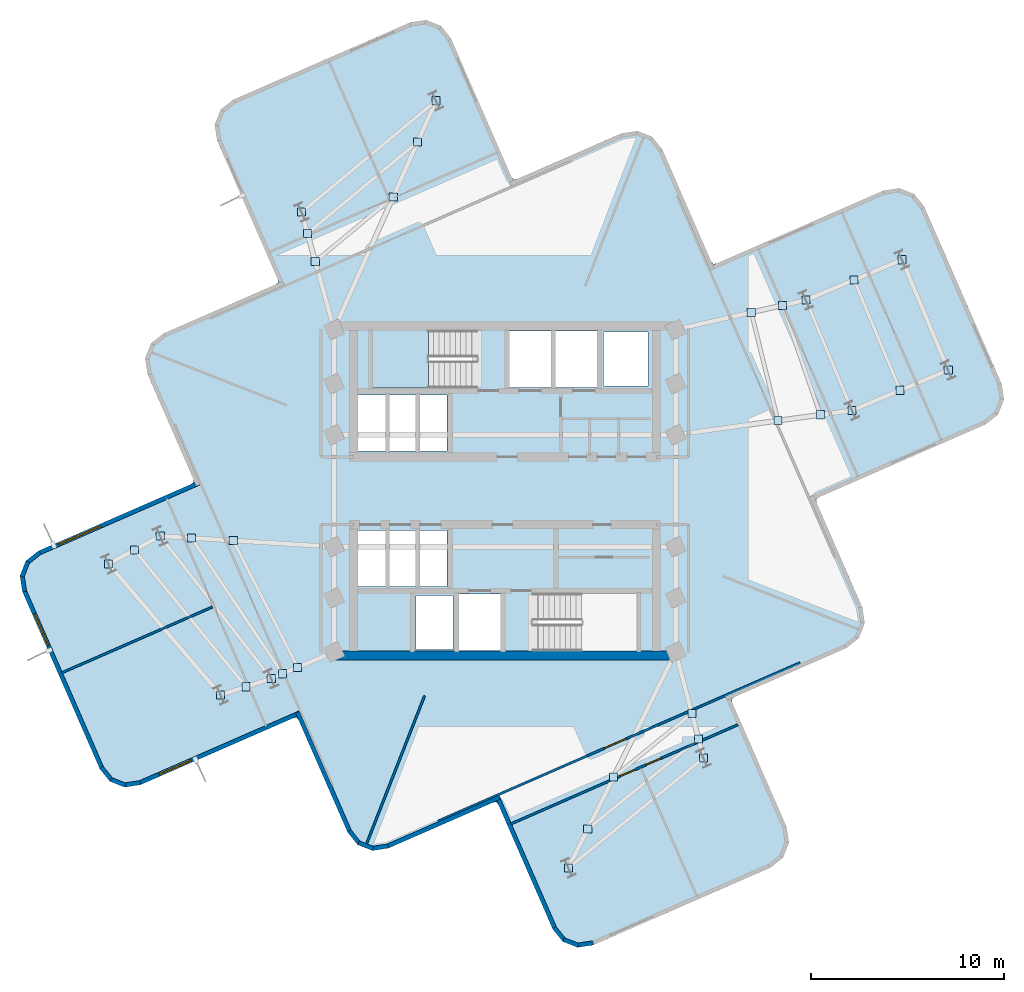
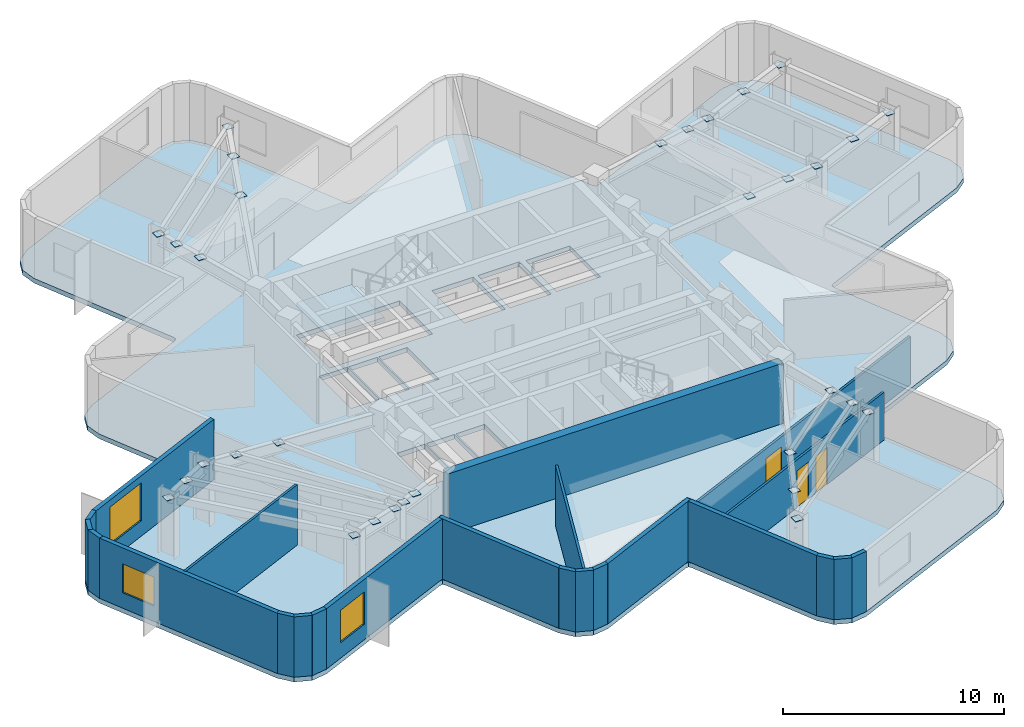
# One storey, part 2 of 8: 32 plates, 23 walls, 3 doors, 3 windows, 2 slabs, 6 openings, 1 element without a shape of its own.
"""IFC4 building model written with IfcOpenShell, lengths in metres."""

from ifc_helpers import new_model, si_unit, direction, frame, frame_2d, origin, origin_2d, place, context, subcontext, project, spatial, polyline, rectangle, outline, extrude, material, layer, layer_set, type_object, element, fill, aggregate, save


model = new_model("IFC4")

# Units and contexts
model_context = context("Model", 3, precision=1e-05, world=origin(), true_north=direction((0.0, 1.0)))
body_context = subcontext(model_context, "Body", "Model", "MODEL_VIEW")
ifc_project = project(units=[si_unit("LENGTHUNIT", "METRE"), si_unit("AREAUNIT", "SQUARE_METRE"), si_unit("VOLUMEUNIT", "CUBIC_METRE"), si_unit("PLANEANGLEUNIT", "RADIAN"), si_unit("MASSUNIT", "GRAM", prefix="KILO")], contexts=[model_context])

# Site, building, storey
site_placement = place(None, origin())
site = spatial("IfcSite", under=ifc_project, at=site_placement, CompositionType="ELEMENT")
building_placement = place(site_placement, origin())
building = spatial("IfcBuilding", under=site, at=building_placement, Name="Solmarez Civic Tower", CompositionType="ELEMENT")
storey_placement = place(building_placement, frame((0.0, 0.0, 181.080078125)))
storey = spatial("IfcBuildingStorey", under=building, at=storey_placement, Name="L48", CompositionType="ELEMENT", Elevation=181.080078125)

# Plates
ifc_material_1 = material(Name="Steel S355", Category="steel")
ifc_layer_1 = layer(ifc_material_1, 0.02392578125)
ifc_layer_set_1 = layer_set([ifc_layer_1], Name="Steel S355")
plate_type = type_object("IfcPlateType", Name="PLT-CAP-380", PredefinedType="USERDEFINED", material=ifc_layer_set_1)
for number, where, z_axis, x_axis, name in (
    (1, (17.987060546875, 4.1640625, 3.177978515625), (0.0, 0.0, 1.0), (1.0, 0.0, 0.0), "Steel Member End Cap Plate CAP-BM-L48-EA-T1-0"),
    (2, (15.593994140625, 9.883056640625, 3.177978515625), (0.0, 0.0, 1.0), (1.0, 0.0, 0.0), "Steel Member End Cap Plate CAP-BM-L48-EA-T1-1"),
    (3, (22.968017578125, 6.248046875, 3.1279296875), (0.0, 0.0, 1.0), (1.0, 0.0, 0.0), "Steel Member End Cap Plate CAP-BM-L48-EA-T2-0"),
    (4, (20.575927734375, 11.967041015625, 3.1279296875), (0.0, 0.0, 1.0), (1.0, 0.0, 0.0), "Steel Member End Cap Plate CAP-BM-L48-EA-T2-1"),
    (5, (20.47705078125, 5.2060546875, 3.177978515625), (0.0, 0.0, 1.0), (1.0, 0.0, 0.0), "Steel Member End Cap Plate CAP-JS-L48-EA-M2-0"),
    (6, (18.0849609375, 10.925048828125, 3.177978515625), (0.0, 0.0, 1.0), (1.0, 0.0, 0.0), "Steel Member End Cap Plate CAP-JS-L48-EA-M2-1"),
    (7, (14.14892578125, 3.633056640625, 3.177978515625), (0.0, 0.0, 1.0), (1.0, 0.0, 0.0), "Steel Member End Cap Plate CAP-JS-L48-EA-M11-0"),
    (8, (12.761962890625, 9.239013671875, 3.177978515625), (0.0, 0.0, 1.0), (1.0, 0.0, 0.0), "Steel Member End Cap Plate CAP-JS-L48-EA-M11-1"),
    (9, (16.342041015625, 3.93603515625, 3.177978515625), (0.0, 0.0, 1.0), (1.0, 0.0, 0.0), "Steel Member End Cap Plate CAP-JS-L48-EA-M12-0"),
    (10, (14.3798828125, 9.60693359375, 3.177978515625), (0.0, 0.0, 1.0), (1.0, 0.0, 0.0), "Steel Member End Cap Plate CAP-JS-L48-EA-M12-1"),
    (11, (-3.570068359375, 20.20703125, 3.177978515625), (0.0, 0.0, 1.0), (1.0, 0.0, 0.0), "Steel Member End Cap Plate CAP-BM-L48-NA-T1-0"),
    (12, (-10.532958984375, 14.43310546875, 3.177978515625), (0.0, 0.0, 1.0), (1.0, 0.0, 0.0), "Steel Member End Cap Plate CAP-BM-L48-NA-T1-1"),
    (13, (-5.7880859375, 15.22705078125, 3.177978515625), (0.0, 0.0, 1.0), (1.0, 0.0, 0.0), "Steel Member End Cap Plate CAP-JS-L48-NA-M11-0"),
    (14, (-9.825927734375, 11.8779296875, 3.177978515625), (0.0, 0.0, 1.0), (1.0, 0.0, 0.0), "Steel Member End Cap Plate CAP-JS-L48-NA-M11-1"),
    (15, (-4.52001953125, 18.072998046875, 3.177978515625), (0.0, 0.0, 1.0), (1.0, 0.0, 0.0), "Steel Member End Cap Plate CAP-JS-L48-NA-M12-0"),
    (16, (-10.22998046875, 13.337890625, 3.177978515625), (0.0, 0.0, 1.0), (1.0, 0.0, 0.0), "Steel Member End Cap Plate CAP-JS-L48-NA-M12-1"),
    (17, (-17.85791015625, -2.345947265625, 3.177978515625), (0.0, 0.0, 1.0), (1.0, 0.0, 0.0), "Steel Member End Cap Plate CAP-BM-L48-WA-T1-0"),
    (18, (-12.10595703125, -9.73095703125, 3.177978515625), (0.0, 0.0, 1.0), (1.0, 0.0, 0.0), "Steel Member End Cap Plate CAP-BM-L48-WA-T1-1"),
    (19, (-20.534912109375, -3.7880859375, 3.1279296875), (0.0, 0.0, 1.0), (1.0, 0.0, 0.0), "Steel Member End Cap Plate CAP-BM-L48-WA-T2-0"),
    (20, (-14.73095703125, -10.572998046875, 3.1279296875), (0.0, 0.0, 1.0), (1.0, 0.0, 0.0), "Steel Member End Cap Plate CAP-BM-L48-WA-T2-1"),
    (21, (-19.197021484375, -3.06689453125, 3.177978515625), (0.0, 0.0, 1.0), (1.0, 0.0, 0.0), "Steel Member End Cap Plate CAP-JS-L48-WA-M2-0"),
    (22, (-13.41796875, -10.152099609375, 3.177978515625), (0.0, 0.0, 1.0), (1.0, 0.0, 0.0), "Steel Member End Cap Plate CAP-JS-L48-WA-M2-1"),
    (23, (-14.074951171875, -2.5791015625, 3.177978515625), (0.0, 0.0, 1.0), (1.0, 0.0, 0.0), "Steel Member End Cap Plate CAP-JS-L48-WA-M11-0"),
    (24, (-10.738037109375, -9.15087890625, 3.177978515625), (0.0, 0.0, 1.0), (1.0, 0.0, 0.0), "Steel Member End Cap Plate CAP-JS-L48-WA-M11-1"),
    (25, (-16.237060546875, -2.446044921875, 3.177978515625), (0.0, 0.0, 1.0), (1.0, 0.0, 0.0), "Steel Member End Cap Plate CAP-JS-L48-WA-M12-0"),
    (26, (-11.52001953125, -9.48193359375, 3.177978515625), (0.0, 0.0, 1.0), (1.0, 0.0, 0.0), "Steel Member End Cap Plate CAP-JS-L48-WA-M12-1"),
    (27, (3.2900390625, -19.535888671875, 3.177978515625), (0.0, 0.0, 1.0), (1.0, 0.0, 0.0), "Steel Member End Cap Plate CAP-BM-L48-SA-T1-0"),
    (28, (10.2900390625, -13.85009765625, 3.177978515625), (0.0, 0.0, 1.0), (1.0, 0.0, 0.0), "Steel Member End Cap Plate CAP-BM-L48-SA-T1-1"),
    (29, (5.625, -14.837890625, 3.177978515625), (0.0, 0.0, 1.0), (1.0, 0.0, 0.0), "Steel Member End Cap Plate CAP-JS-L48-SA-M11-0"),
    (30, (9.68505859375, -11.5400390625, 3.177978515625), (0.0, 0.0, 1.0), (1.0, 0.0, 0.0), "Steel Member End Cap Plate CAP-JS-L48-SA-M11-1"),
    (31, (4.291015625, -17.52294921875, 3.177978515625), (0.0, 0.0, 1.0), (1.0, 0.0, 0.0), "Steel Member End Cap Plate CAP-JS-L48-SA-M12-0"),
    (32, (10.031005859375, -12.860107421875, 3.177978515625), (0.0, 0.0, 1.0), (1.0, 0.0, 0.0), "Steel Member End Cap Plate CAP-JS-L48-SA-M12-1"),
):
    element("IfcPlate", number, at=place(storey_placement, frame(where, z_axis=z_axis, x_axis=x_axis)), inside=storey, type_object=plate_type, Name=name, ObjectType="CAP_PLATE", PredefinedType="USERDEFINED", context=body_context, shape_type="SweptSolid", body=[
        extrude(rectangle(XDim=0.419921875, YDim=0.419921875, at=origin_2d()), origin(), (0.0, 0.0, 1.0), 0.02392578125),
    ])

# Stair, slab
ifc_material_2 = material(Name="Concrete C50/60", Category="concrete")
stair_type = type_object("IfcStairType", Name="STAIR-DOGLEG-140W-20R-1800", PredefinedType="HALF_TURN_STAIR", material=ifc_material_2)
stair_placement = place(storey_placement, origin())
stair = element("IfcStair", 33, at=stair_placement, inside=storey, type_object=stair_type, Name="L48 North Core Protected Exit Stair ST-1", PredefinedType="HALF_TURN_STAIR")
ifc_layer_2 = layer(ifc_material_2, 0.199951171875)
ifc_layer_set_2 = layer_set([ifc_layer_2], Name="Concrete C50/60")
slab_type_1 = type_object("IfcSlabType", Name="SLAB-LANDING-200", PredefinedType="LANDING", material=ifc_layer_set_2)
slab_1_placement = place(storey_placement, frame((0.0, 0.0, 1.599853515625)))
slab_1 = element("IfcSlab", 34, at=slab_1_placement, type_object=slab_type_1, Name="ST-1 landing 1", PredefinedType="LANDING", context=body_context, shape_type="SweptSolid", body=[
    extrude(outline(polyline([(-3.969970703125, 8.320068359375), (-6.85009765625, 8.320068359375), (-6.85009765625, 5.320068359375), (-3.969970703125, 5.320068359375), (-3.969970703125, 8.320068359375)])), origin(), (0.0, 0.0, 1.0), 0.199951171875),
])
aggregate(stair, [slab_1])

# Slab
ifc_layer_3 = layer(ifc_material_2, 0.260009765625)
ifc_layer_set_3 = layer_set([ifc_layer_3], Name="Concrete C50/60")
slab_type_2 = type_object("IfcSlabType", Name="SLAB-TOWER-260", PredefinedType="FLOOR", material=ifc_layer_set_3)
slab_2_placement = place(storey_placement, frame((0.0, 0.0, -0.260009765625)))
element("IfcSlab", 35, at=slab_2_placement, inside=storey, type_object=slab_type_2, Name="L48 Structural Slab", PredefinedType="FLOOR", context=body_context, shape_type="SweptSolid", body=[
    extrude(outline(polyline([(-10.68701171875, -11.883056640625), (-8.14892578125, -17.69189453125), (-7.632080078125, -18.339111328125), (-6.861083984375, -18.64111328125), (-6.0419921875, -18.51806640625), (-0.617919921875, -16.14794921875), (-0.447021484375, -16.1220703125), (-0.340087890625, -16.256103515625), (2.47802734375, -22.70703125), (2.9951171875, -23.35400390625), (3.76611328125, -23.656982421875), (4.5849609375, -23.532958984375), (13.76708984375, -19.52099609375), (14.4140625, -19.0048828125), (14.716064453125, -18.23291015625), (14.592041015625, -17.4140625), (11.77392578125, -10.964111328125), (11.748046875, -10.7939453125), (11.883056640625, -10.68701171875), (17.69189453125, -8.14892578125), (18.339111328125, -7.632080078125), (18.64111328125, -6.861083984375), (18.51806640625, -6.0419921875), (16.14794921875, -0.617919921875), (16.1220703125, -0.447021484375), (16.256103515625, -0.340087890625), (24.906005859375, 3.43896484375), (25.553955078125, 3.9560546875), (25.85595703125, 4.72705078125), (25.73193359375, 5.5458984375), (21.719970703125, 14.72802734375), (21.2041015625, 15.375), (20.43310546875, 15.677001953125), (19.614013671875, 15.552978515625), (10.964111328125, 11.77392578125), (10.7939453125, 11.748046875), (10.68701171875, 11.883056640625), (8.14892578125, 17.69189453125), (7.632080078125, 18.339111328125), (6.861083984375, 18.64111328125), (6.0419921875, 18.51806640625), (0.617919921875, 16.14794921875), (0.447021484375, 16.1220703125), (0.340087890625, 16.256103515625), (-2.798095703125, 23.43994140625), (-3.31494140625, 24.0869140625), (-4.0859375, 24.389892578125), (-4.905029296875, 24.26611328125), (-14.0869140625, 20.25390625), (-14.73388671875, 19.738037109375), (-15.035888671875, 18.966064453125), (-14.9130859375, 18.14794921875), (-11.77392578125, 10.964111328125), (-11.748046875, 10.7939453125), (-11.883056640625, 10.68701171875), (-17.69189453125, 8.14892578125), (-18.339111328125, 7.632080078125), (-18.64111328125, 6.861083984375), (-18.51806640625, 6.0419921875), (-16.14794921875, 0.617919921875), (-16.1220703125, 0.447021484375), (-16.256103515625, 0.340087890625), (-24.173095703125, -3.118896484375), (-24.821044921875, -3.635009765625), (-25.123046875, -4.406005859375), (-24.9990234375, -5.22509765625), (-20.987060546875, -14.406982421875), (-20.470947265625, -15.054931640625), (-19.699951171875, -15.35693359375), (-18.881103515625, -15.23291015625), (-10.964111328125, -11.77392578125), (-10.7939453125, -11.748046875), (-10.68701171875, -11.883056640625)]), holes=[polyline([(-1.449951171875, 8.320068359375), (-6.85009765625, 8.320068359375), (-6.85009765625, 5.320068359375), (-1.449951171875, 5.320068359375), (-1.449951171875, 8.320068359375)]), polyline([(1.449951171875, -8.320068359375), (6.85009765625, -8.320068359375), (6.85009765625, -5.320068359375), (1.449951171875, -5.320068359375), (1.449951171875, -8.320068359375)]), polyline([(0.219970703125, 5.360107421875), (2.3798828125, 5.360107421875), (2.3798828125, 8.280029296875), (0.219970703125, 8.280029296875), (0.219970703125, 5.360107421875)]), polyline([(2.6201171875, 5.360107421875), (4.780029296875, 5.360107421875), (4.780029296875, 8.280029296875), (2.6201171875, 8.280029296875), (2.6201171875, 5.360107421875)]), polyline([(-2.3798828125, -8.280029296875), (-0.219970703125, -8.280029296875), (-0.219970703125, -5.360107421875), (-2.3798828125, -5.360107421875), (-2.3798828125, -8.280029296875)]), polyline([(-7.60009765625, -4.9599609375), (-6.1201171875, -4.9599609375), (-6.1201171875, -2.06005859375), (-7.60009765625, -2.06005859375), (-7.60009765625, -4.9599609375)]), polyline([(-6.0400390625, -4.9599609375), (-4.56005859375, -4.9599609375), (-4.56005859375, -2.06005859375), (-6.0400390625, -2.06005859375), (-6.0400390625, -4.9599609375)]), polyline([(-4.47998046875, -4.9599609375), (-3.0, -4.9599609375), (-3.0, -2.06005859375), (-4.47998046875, -2.06005859375), (-4.47998046875, -4.9599609375)]), polyline([(-7.60009765625, 2.06005859375), (-6.1201171875, 2.06005859375), (-6.1201171875, 4.9599609375), (-7.60009765625, 4.9599609375), (-7.60009765625, 2.06005859375)]), polyline([(-6.0400390625, 2.06005859375), (-4.56005859375, 2.06005859375), (-4.56005859375, 4.9599609375), (-6.0400390625, 4.9599609375), (-6.0400390625, 2.06005859375)]), polyline([(-4.47998046875, 2.06005859375), (-3.0, 2.06005859375), (-3.0, 4.9599609375), (-4.47998046875, 4.9599609375), (-4.47998046875, 2.06005859375)]), polyline([(5.10009765625, 5.419921875), (7.39990234375, 5.419921875), (7.39990234375, 8.219970703125), (5.10009765625, 8.219970703125), (5.10009765625, 5.419921875)]), polyline([(-4.60009765625, -8.219970703125), (-2.699951171875, -8.219970703125), (-2.699951171875, -5.419921875), (-4.60009765625, -5.419921875), (-4.60009765625, -8.219970703125)])]), origin(), (0.0, 0.0, 1.0), 0.260009765625),
])

# Wall
ifc_layer_4 = layer(ifc_material_2, 0.449951171875)
ifc_layer_set_4 = layer_set([ifc_layer_4], Name="Concrete C50/60")
wall_type_1 = type_object("IfcWallType", Name="WALL-CORE-450", PredefinedType="SHEAR", material=ifc_layer_set_4)
wall_1_placement = place(storey_placement, frame((8.780029296875, -8.534912109375, 0.0), z_axis=(0.0, 0.0, 1.0), x_axis=(-1.0, 0.0, 0.0)))
element("IfcWall", 36, at=wall_1_placement, inside=storey, type_object=wall_type_1, Name="L48 Split-Core Structural Wall SCW-S-L48", PredefinedType="SHEAR", context=body_context, shape_type="SweptSolid", body=[
    extrude(rectangle(XDim=17.56005859375, YDim=0.449951171875, at=frame_2d((8.780029296875, 0.0))), origin(), (0.0, 0.0, 1.0), 3.33984375),
])

# Wall, opening, window
ifc_material_3 = material(Name="Precast concrete C40/50", Category="concrete")
ifc_layer_5 = layer(ifc_material_3, 0.219970703125)
ifc_layer_set_5 = layer_set([ifc_layer_5], Name="Precast concrete C40/50")
wall_type_2 = type_object("IfcWallType", Name="WALL-EXT-220", PredefinedType="SOLIDWALL", material=ifc_layer_set_5)
wall_2_placement = place(storey_placement, frame((-10.634033203125, -11.510009765625, 0.0), z_axis=(0.0, 0.0, 1.0), x_axis=(-0.91637186732, -0.400328116405, 0.0)))
wall_2 = element("IfcWall", 37, at=wall_2_placement, inside=storey, type_object=wall_type_2, Name="L48 Exterior Precast Wall 2", PredefinedType="SOLIDWALL", context=body_context, shape_type="SweptSolid", body=[
    extrude(rectangle(XDim=9.0576171875, YDim=0.219970703125, at=frame_2d((4.52880859375, 0.0))), origin(), (0.0, 0.0, 1.0), 3.33984375),
])
opening_1_placement = place(wall_2_placement, frame((6.156982421875, 0.0, 0.85009765625)))
opening_1 = element("IfcOpeningElement", 38, at=opening_1_placement, cuts=wall_2, Name="Opening W-08", PredefinedType="OPENING", context=body_context, shape_type="SweptSolid", body=[
    extrude(rectangle(XDim=1.800048828125, YDim=1.800048828125, at=frame_2d((0.89990234375, 0.89990234375))), frame((0.0, 0.119873046875, 0.0), z_axis=(0.0, -1.0, 0.0), x_axis=(1.0, 0.0, 0.0)), (0.0, 0.0, 1.0), 0.239990234375),
])
ifc_material_4 = material(Name="Solar Control Bronze-Tinted Insulating Glass", Category="glass")
window_type_1 = type_object("IfcWindowType", Name="WIN-1800X1800", PartitioningType="SINGLE_PANEL", PredefinedType="WINDOW", material=ifc_material_4)
window_1_placement = place(opening_1_placement, origin())
window_1 = element("IfcWindow", 39, at=window_1_placement, inside=storey, type_object=window_type_1, Name="L48 Exterior Facade Window 2", OverallHeight=1.800048828125, OverallWidth=1.800048828125, PartitioningType="SINGLE_PANEL", PredefinedType="WINDOW", context=body_context, shape_type="SweptSolid", body=[
    extrude(rectangle(XDim=1.800048828125, YDim=1.800048828125, at=frame_2d((0.89990234375, 0.89990234375))), frame((0.0, 0.030029296875, 0.0), z_axis=(0.0, -1.0, 0.0), x_axis=(1.0, 0.0, 0.0)), (0.0, 0.0, 1.0), 0.06005859375),
])
fill(opening_1, window_1)

# Walls
wall_3_placement = place(storey_placement, frame((-18.885986328125, -15.1220703125, 0.0), z_axis=(0.0, 0.0, 1.0), x_axis=(-0.988566813851, -0.150783469095, 0.0)))
element("IfcWall", 40, at=wall_3_placement, inside=storey, type_object=wall_type_2, Name="L48 Exterior Precast Wall 3", PredefinedType="SOLIDWALL", context=body_context, shape_type="SweptSolid", body=[
    extrude(rectangle(XDim=0.83544921875, YDim=0.219970703125, at=frame_2d((0.417724609375, 0.0))), origin(), (0.0, 0.0, 1.0), 3.33984375),
])
wall_4_placement = place(storey_placement, frame((-19.6640625, -15.2529296875, 0.0), z_axis=(0.0, 0.0, 1.0), x_axis=(-0.930965246498, 0.36510780574, 0.0)))
element("IfcWall", 41, at=wall_4_placement, inside=storey, type_object=wall_type_2, Name="L48 Exterior Precast Wall 4", PredefinedType="SOLIDWALL", context=body_context, shape_type="SweptSolid", body=[
    extrude(rectangle(XDim=0.818359375, YDim=0.219970703125, at=frame_2d((0.4091796875, 0.0))), origin(), (0.0, 0.0, 1.0), 3.33984375),
])
wall_5_placement = place(storey_placement, frame((-20.386962890625, -14.98291015625, 0.0), z_axis=(0.0, 0.0, 1.0), x_axis=(-0.62376780326, 0.781609702867, 0.0)))
element("IfcWall", 42, at=wall_5_placement, inside=storey, type_object=wall_type_2, Name="L48 Exterior Precast Wall 5", PredefinedType="SOLIDWALL", context=body_context, shape_type="SweptSolid", body=[
    extrude(rectangle(XDim=0.835205078125, YDim=0.219970703125, at=frame_2d((0.41748046875, 0.0))), origin(), (0.0, 0.0, 1.0), 3.33984375),
])

# Wall, opening, window
wall_6_placement = place(storey_placement, frame((-20.882080078125, -14.373046875, 0.0), z_axis=(0.0, 0.0, 1.0), x_axis=(-0.400368522196, 0.916354214502, 0.0)))
wall_6 = element("IfcWall", 43, at=wall_6_placement, inside=storey, type_object=wall_type_2, Name="L48 Exterior Precast Wall 6", PredefinedType="SOLIDWALL", context=body_context, shape_type="SweptSolid", body=[
    extrude(rectangle(XDim=10.040771484375, YDim=0.219970703125, at=frame_2d((5.0205078125, 0.0))), origin(), (0.0, 0.0, 1.0), 3.33984375),
])
opening_2_placement = place(wall_6_placement, frame((6.931884765625, 0.0, 0.85009765625)))
opening_2 = element("IfcOpeningElement", 44, at=opening_2_placement, cuts=wall_6, Name="Opening W-12", PredefinedType="OPENING", context=body_context, shape_type="SweptSolid", body=[
    extrude(rectangle(XDim=1.800048828125, YDim=1.60009765625, at=frame_2d((0.89990234375, 0.800048828125))), frame((0.0, 0.119873046875, 0.0), z_axis=(0.0, -1.0, 0.0), x_axis=(1.0, 0.0, 0.0)), (0.0, 0.0, 1.0), 0.239990234375),
])
window_type_2 = type_object("IfcWindowType", Name="WIN-1800X1600", PartitioningType="SINGLE_PANEL", PredefinedType="WINDOW", material=ifc_material_4)
window_2_placement = place(opening_2_placement, origin())
window_2 = element("IfcWindow", 45, at=window_2_placement, inside=storey, type_object=window_type_2, Name="L48 Exterior Facade Window 6", OverallHeight=1.60009765625, OverallWidth=1.800048828125, PartitioningType="SINGLE_PANEL", PredefinedType="WINDOW", context=body_context, shape_type="SweptSolid", body=[
    extrude(rectangle(XDim=1.800048828125, YDim=1.60009765625, at=frame_2d((0.89990234375, 0.800048828125))), frame((0.0, 0.030029296875, 0.0), z_axis=(0.0, -1.0, 0.0), x_axis=(1.0, 0.0, 0.0)), (0.0, 0.0, 1.0), 0.06005859375),
])
fill(opening_2, window_2)

# Walls
wall_7_placement = place(storey_placement, frame((-24.887939453125, -5.219970703125, 0.0), z_axis=(0.0, 0.0, 1.0), x_axis=(-0.150783469095, 0.988566813851, 0.0)))
element("IfcWall", 46, at=wall_7_placement, inside=storey, type_object=wall_type_2, Name="L48 Exterior Precast Wall 7", PredefinedType="SOLIDWALL", context=body_context, shape_type="SweptSolid", body=[
    extrude(rectangle(XDim=0.83544921875, YDim=0.219970703125, at=frame_2d((0.417724609375, 0.0))), origin(), (0.0, 0.0, 1.0), 3.33984375),
])
wall_8_placement = place(storey_placement, frame((-25.01904296875, -4.44189453125, 0.0), z_axis=(0.0, 0.0, 1.0), x_axis=(0.365366290938, 0.93086383185, 0.0)))
element("IfcWall", 47, at=wall_8_placement, inside=storey, type_object=wall_type_2, Name="L48 Exterior Precast Wall 8", PredefinedType="SOLIDWALL", context=body_context, shape_type="SweptSolid", body=[
    extrude(rectangle(XDim=0.818603515625, YDim=0.219970703125, at=frame_2d((0.4091796875, 0.0))), origin(), (0.0, 0.0, 1.0), 3.33984375),
])
wall_9_placement = place(storey_placement, frame((-24.7490234375, -3.718994140625, 0.0), z_axis=(0.0, 0.0, 1.0), x_axis=(0.781723393747, 0.623625316731, 0.0)))
element("IfcWall", 48, at=wall_9_placement, inside=storey, type_object=wall_type_2, Name="L48 Exterior Precast Wall 9", PredefinedType="SOLIDWALL", context=body_context, shape_type="SweptSolid", body=[
    extrude(rectangle(XDim=0.83544921875, YDim=0.219970703125, at=frame_2d((0.417724609375, 0.0))), origin(), (0.0, 0.0, 1.0), 3.33984375),
])

# Wall, opening, window
wall_10_placement = place(storey_placement, frame((-24.138916015625, -3.22412109375, 0.0), z_axis=(0.0, 0.0, 1.0), x_axis=(0.916356987606, 0.400362175117, 0.0)))
wall_10 = element("IfcWall", 49, at=wall_10_placement, inside=storey, type_object=wall_type_2, Name="L48 Exterior Precast Wall 10", PredefinedType="SOLIDWALL", context=body_context, shape_type="SweptSolid", body=[
    extrude(rectangle(XDim=9.059814453125, YDim=0.219970703125, at=frame_2d((4.52978515625, 0.0))), origin(), (0.0, 0.0, 1.0), 3.33984375),
])
opening_3_placement = place(wall_10_placement, frame((1.10009765625, 0.0, 0.85009765625)))
opening_3 = element("IfcOpeningElement", 50, at=opening_3_placement, cuts=wall_10, Name="Opening W-02", PredefinedType="OPENING", context=body_context, shape_type="SweptSolid", body=[
    extrude(rectangle(XDim=2.39990234375, YDim=2.10009765625, at=frame_2d((1.199951171875, 1.050048828125))), frame((0.0, 0.119873046875, 0.0), z_axis=(0.0, -1.0, 0.0), x_axis=(1.0, 0.0, 0.0)), (0.0, 0.0, 1.0), 0.239990234375),
])
window_type_3 = type_object("IfcWindowType", Name="WIN-2400X2100", PartitioningType="SINGLE_PANEL", PredefinedType="WINDOW", material=ifc_material_4)
window_3_placement = place(opening_3_placement, origin())
window_3 = element("IfcWindow", 51, at=window_3_placement, inside=storey, type_object=window_type_3, Name="L48 Exterior Facade Window 10", OverallHeight=2.10009765625, OverallWidth=2.39990234375, PartitioningType="SINGLE_PANEL", PredefinedType="WINDOW", context=body_context, shape_type="SweptSolid", body=[
    extrude(rectangle(XDim=2.39990234375, YDim=2.10009765625, at=frame_2d((1.199951171875, 1.050048828125))), frame((0.0, 0.030029296875, 0.0), z_axis=(0.0, -1.0, 0.0), x_axis=(1.0, 0.0, 0.0)), (0.0, 0.0, 1.0), 0.06005859375),
])
fill(opening_3, window_3)

# Walls
wall_11_placement = place(storey_placement, frame((4.5791015625, -23.422119140625, 0.0), z_axis=(0.0, 0.0, 1.0), x_axis=(-0.98872075534, -0.149770717969, 0.0)))
element("IfcWall", 52, at=wall_11_placement, inside=storey, type_object=wall_type_2, Name="L48 Exterior Precast Wall 61", PredefinedType="SOLIDWALL", context=body_context, shape_type="SweptSolid", body=[
    extrude(rectangle(XDim=0.834716796875, YDim=0.219970703125, at=frame_2d((0.41748046875, 0.0))), origin(), (0.0, 0.0, 1.0), 3.33984375),
])
wall_12_placement = place(storey_placement, frame((3.802001953125, -23.552001953125, 0.0), z_axis=(0.0, 0.0, 1.0), x_axis=(-0.931427357551, 0.363927297142, 0.0)))
element("IfcWall", 53, at=wall_12_placement, inside=storey, type_object=wall_type_2, Name="L48 Exterior Precast Wall 62", PredefinedType="SOLIDWALL", context=body_context, shape_type="SweptSolid", body=[
    extrude(rectangle(XDim=0.819091796875, YDim=0.219970703125, at=frame_2d((0.40966796875, 0.0))), origin(), (0.0, 0.0, 1.0), 3.33984375),
])
wall_13_placement = place(storey_placement, frame((3.077880859375, -23.282958984375, 0.0), z_axis=(0.0, 0.0, 1.0), x_axis=(-0.623625316731, 0.781723393747, 0.0)))
element("IfcWall", 54, at=wall_13_placement, inside=storey, type_object=wall_type_2, Name="L48 Exterior Precast Wall 63", PredefinedType="SOLIDWALL", context=body_context, shape_type="SweptSolid", body=[
    extrude(rectangle(XDim=0.83544921875, YDim=0.219970703125, at=frame_2d((0.417724609375, 0.0))), origin(), (0.0, 0.0, 1.0), 3.33984375),
])
wall_14_placement = place(storey_placement, frame((2.5830078125, -22.673095703125, 0.0), z_axis=(0.0, 0.0, 1.0), x_axis=(-0.400284831799, 0.916390775505, 0.0)))
element("IfcWall", 55, at=wall_14_placement, inside=storey, type_object=wall_type_2, Name="L48 Exterior Precast Wall 64", PredefinedType="SOLIDWALL", context=body_context, shape_type="SweptSolid", body=[
    extrude(rectangle(XDim=7.4599609375, YDim=0.219970703125, at=frame_2d((3.72998046875, 0.0))), origin(), (0.0, 0.0, 1.0), 3.33984375),
])
wall_15_placement = place(storey_placement, frame((-0.287109375, -15.883056640625, 0.0), z_axis=(0.0, 0.0, 1.0), x_axis=(-0.916361402872, -0.400352069216, 0.0)))
element("IfcWall", 56, at=wall_15_placement, inside=storey, type_object=wall_type_2, Name="L48 Exterior Precast Wall 67", PredefinedType="SOLIDWALL", context=body_context, shape_type="SweptSolid", body=[
    extrude(rectangle(XDim=6.339111328125, YDim=0.219970703125, at=frame_2d((3.16943359375, 0.0))), origin(), (0.0, 0.0, 1.0), 3.33984375),
])
wall_16_placement = place(storey_placement, frame((-6.048095703125, -18.406982421875, 0.0), z_axis=(0.0, 0.0, 1.0), x_axis=(-0.988714190876, -0.149814047271, 0.0)))
element("IfcWall", 57, at=wall_16_placement, inside=storey, type_object=wall_type_2, Name="L48 Exterior Precast Wall 68", PredefinedType="SOLIDWALL", context=body_context, shape_type="SweptSolid", body=[
    extrude(rectangle(XDim=0.83447265625, YDim=0.219970703125, at=frame_2d((0.417236328125, 0.0))), origin(), (0.0, 0.0, 1.0), 3.33984375),
])
wall_17_placement = place(storey_placement, frame((-6.824951171875, -18.537109375, 0.0), z_axis=(0.0, 0.0, 1.0), x_axis=(-0.931269191941, 0.364331843435, 0.0)))
element("IfcWall", 58, at=wall_17_placement, inside=storey, type_object=wall_type_2, Name="L48 Exterior Precast Wall 69", PredefinedType="SOLIDWALL", context=body_context, shape_type="SweptSolid", body=[
    extrude(rectangle(XDim=0.818115234375, YDim=0.219970703125, at=frame_2d((0.4091796875, 0.0))), origin(), (0.0, 0.0, 1.0), 3.33984375),
])
wall_18_placement = place(storey_placement, frame((-7.548095703125, -18.26806640625, 0.0), z_axis=(0.0, 0.0, 1.0), x_axis=(-0.624338860581, 0.781153625844, 0.0)))
element("IfcWall", 59, at=wall_18_placement, inside=storey, type_object=wall_type_2, Name="L48 Exterior Precast Wall 70", PredefinedType="SOLIDWALL", context=body_context, shape_type="SweptSolid", body=[
    extrude(rectangle(XDim=0.8359375, YDim=0.219970703125, at=frame_2d((0.41796875, 0.0))), origin(), (0.0, 0.0, 1.0), 3.33984375),
])
wall_19_placement = place(storey_placement, frame((-8.0439453125, -17.657958984375, 0.0), z_axis=(0.0, 0.0, 1.0), x_axis=(-0.400352658158, 0.916361145567, 0.0)))
element("IfcWall", 60, at=wall_19_placement, inside=storey, type_object=wall_type_2, Name="L48 Exterior Precast Wall 71", PredefinedType="SOLIDWALL", context=body_context, shape_type="SweptSolid", body=[
    extrude(rectangle(XDim=6.75927734375, YDim=0.219970703125, at=frame_2d((3.379638671875, 0.0))), origin(), (0.0, 0.0, 1.0), 3.33984375),
])
ifc_material_5 = material(Name="Gypsum Board Acoustic Steel-Stud Partition", Category="steel")
ifc_layer_6 = layer(ifc_material_5, 0.1201171875)
ifc_layer_set_6 = layer_set([ifc_layer_6], Name="Gypsum Board Acoustic Steel-Stud Partition")
wall_type_3 = type_object("IfcWallType", Name="WALL-INT-PART-120", PredefinedType="PARTITIONING", material=ifc_layer_set_6)
wall_20_placement = place(storey_placement, frame((-4.159912109375, -10.614013671875, 0.0), z_axis=(0.0, 0.0, 1.0), x_axis=(-0.364859873544, -0.931062442953, 0.0)))
element("IfcWall", 61, at=wall_20_placement, inside=storey, type_object=wall_type_3, Name="L48 Interior Partition PT-L48-QDIV-3", PredefinedType="PARTITIONING", context=body_context, shape_type="SweptSolid", body=[
    extrude(rectangle(XDim=8.2744140625, YDim=0.1201171875, at=frame_2d((4.13720703125, 0.0))), origin(), (0.0, 0.0, 1.0), 3.33984375),
])
wall_21_placement = place(storey_placement, frame((-15.138916015625, -6.013916015625, 0.0), z_axis=(0.0, 0.0, 1.0), x_axis=(-0.916360078354, -0.400355100878, 0.0)))
element("IfcWall", 62, at=wall_21_placement, inside=storey, type_object=wall_type_3, Name="L48 Interior Partition PT-L48-W-TSP", PredefinedType="PARTITIONING", context=body_context, shape_type="SweptSolid", body=[
    extrude(rectangle(XDim=8.534912109375, YDim=0.1201171875, at=frame_2d((4.267578125, 0.0))), origin(), (0.0, 0.0, 1.0), 3.33984375),
])

# Wall, opening, door
wall_22_placement = place(storey_placement, frame((15.2880859375, -8.9150390625, 0.0), z_axis=(0.0, 0.0, 1.0), x_axis=(-0.916368627962, -0.400335531383, 0.0)))
wall_22 = element("IfcWall", 63, at=wall_22_placement, inside=storey, type_object=wall_type_3, Name="L48 Interior Partition PT-L48-S-ENT", PredefinedType="PARTITIONING", context=body_context, shape_type="SweptSolid", body=[
    extrude(rectangle(XDim=20.460205078125, YDim=0.1201171875, at=frame_2d((10.22998046875, 0.0))), origin(), (0.0, 0.0, 1.0), 2.64404296875),
])
opening_4_placement = place(wall_22_placement, frame((9.840087890625, 0.0, 0.0)))
opening_4 = element("IfcOpeningElement", 64, at=opening_4_placement, cuts=wall_22, Name="Opening D-11", PredefinedType="OPENING", context=body_context, shape_type="SweptSolid", body=[
    extrude(rectangle(XDim=1.199951171875, YDim=2.10009765625, at=frame_2d((0.60009765625, 1.050048828125))), frame((0.0, 0.070068359375, 0.0), z_axis=(0.0, -1.0, 0.0), x_axis=(1.0, 0.0, 0.0)), (0.0, 0.0, 1.0), 0.14013671875),
])
ifc_material_6 = material(Name="Glazed-Vision Acoustic Chamber Door", Category="wood")
door_type_1 = type_object("IfcDoorType", Name="DOOR-INT-1200", OperationType="NOTDEFINED", PredefinedType="DOOR", material=ifc_material_6)
door_1_placement = place(opening_4_placement, origin())
door_1 = element("IfcDoor", 65, at=door_1_placement, inside=storey, type_object=door_type_1, Name="L48 Security Control Room First South Door", OperationType="SINGLE_SWING_LEFT", OverallHeight=2.10009765625, OverallWidth=1.199951171875, PredefinedType="DOOR", context=body_context, shape_type="SweptSolid", body=[
    extrude(rectangle(XDim=1.199951171875, YDim=2.10009765625, at=frame_2d((0.60009765625, 1.050048828125))), frame((0.0, 0.02490234375, 0.0), z_axis=(0.0, -1.0, 0.0), x_axis=(1.0, 0.0, 0.0)), (0.0, 0.0, 1.0), 0.050048828125),
])
fill(opening_4, door_1)

# Wall, openings, doors
wall_23_placement = place(storey_placement, frame((0.301025390625, -17.262939453125, 0.0), z_axis=(0.0, 0.0, 1.0), x_axis=(0.916355177322, 0.400366318507, 0.0)))
wall_23 = element("IfcWall", 66, at=wall_23_placement, inside=storey, type_object=wall_type_3, Name="L48 Interior Partition PT-L48-S-SCUT", PredefinedType="PARTITIONING", context=body_context, shape_type="SweptSolid", body=[
    extrude(rectangle(XDim=12.850830078125, YDim=0.1201171875, at=frame_2d((6.42529296875, 0.0))), origin(), (0.0, 0.0, 1.0), 2.64404296875),
])
opening_5_placement = place(wall_23_placement, frame((6.18505859375, 0.0, 0.0)))
opening_5 = element("IfcOpeningElement", 67, at=opening_5_placement, cuts=wall_23, Name="Opening D-14", PredefinedType="OPENING", context=body_context, shape_type="SweptSolid", body=[
    extrude(rectangle(XDim=0.860107421875, YDim=2.0400390625, at=frame_2d((0.43017578125, 1.02001953125))), frame((0.0, 0.070068359375, 0.0), z_axis=(0.0, -1.0, 0.0), x_axis=(1.0, 0.0, 0.0)), (0.0, 0.0, 1.0), 0.14013671875),
])
opening_6_placement = place(wall_23_placement, frame((7.625, 0.0, 0.0)))
opening_6 = element("IfcOpeningElement", 68, at=opening_6_placement, cuts=wall_23, Name="Opening D-14", PredefinedType="OPENING", context=body_context, shape_type="SweptSolid", body=[
    extrude(rectangle(XDim=0.860107421875, YDim=2.0400390625, at=frame_2d((0.43017578125, 1.02001953125))), frame((0.0, 0.070068359375, 0.0), z_axis=(0.0, -1.0, 0.0), x_axis=(1.0, 0.0, 0.0)), (0.0, 0.0, 1.0), 0.14013671875),
])
ifc_material_7 = material(Name="Timber Storage and Pantry Door", Category="wood")
door_type_2 = type_object("IfcDoorType", Name="DOOR-INT-850", OperationType="NOTDEFINED", PredefinedType="DOOR", material=ifc_material_7)
door_2_placement = place(opening_5_placement, origin())
door_2 = element("IfcDoor", 69, at=door_2_placement, inside=storey, type_object=door_type_2, Name="L48 Protocol Reception Room Third South Door", OperationType="SINGLE_SWING_RIGHT", OverallHeight=2.0400390625, OverallWidth=0.860107421875, PredefinedType="DOOR", context=body_context, shape_type="SweptSolid", body=[
    extrude(rectangle(XDim=0.860107421875, YDim=2.0400390625, at=frame_2d((0.43017578125, 1.02001953125))), frame((0.0, 0.02490234375, 0.0), z_axis=(0.0, -1.0, 0.0), x_axis=(1.0, 0.0, 0.0)), (0.0, 0.0, 1.0), 0.050048828125),
])
fill(opening_5, door_2)
door_3_placement = place(opening_6_placement, origin())
door_3 = element("IfcDoor", 70, at=door_3_placement, inside=storey, type_object=door_type_2, Name="L48 Diplomatic Sitting Lounge Second South Door", OperationType="SINGLE_SWING_LEFT", OverallHeight=2.0400390625, OverallWidth=0.860107421875, PredefinedType="DOOR", context=body_context, shape_type="SweptSolid", body=[
    extrude(rectangle(XDim=0.860107421875, YDim=2.0400390625, at=frame_2d((0.43017578125, 1.02001953125))), frame((0.0, 0.02490234375, 0.0), z_axis=(0.0, -1.0, 0.0), x_axis=(1.0, 0.0, 0.0)), (0.0, 0.0, 1.0), 0.050048828125),
])
fill(opening_6, door_3)

save(model, "model.ifc")
